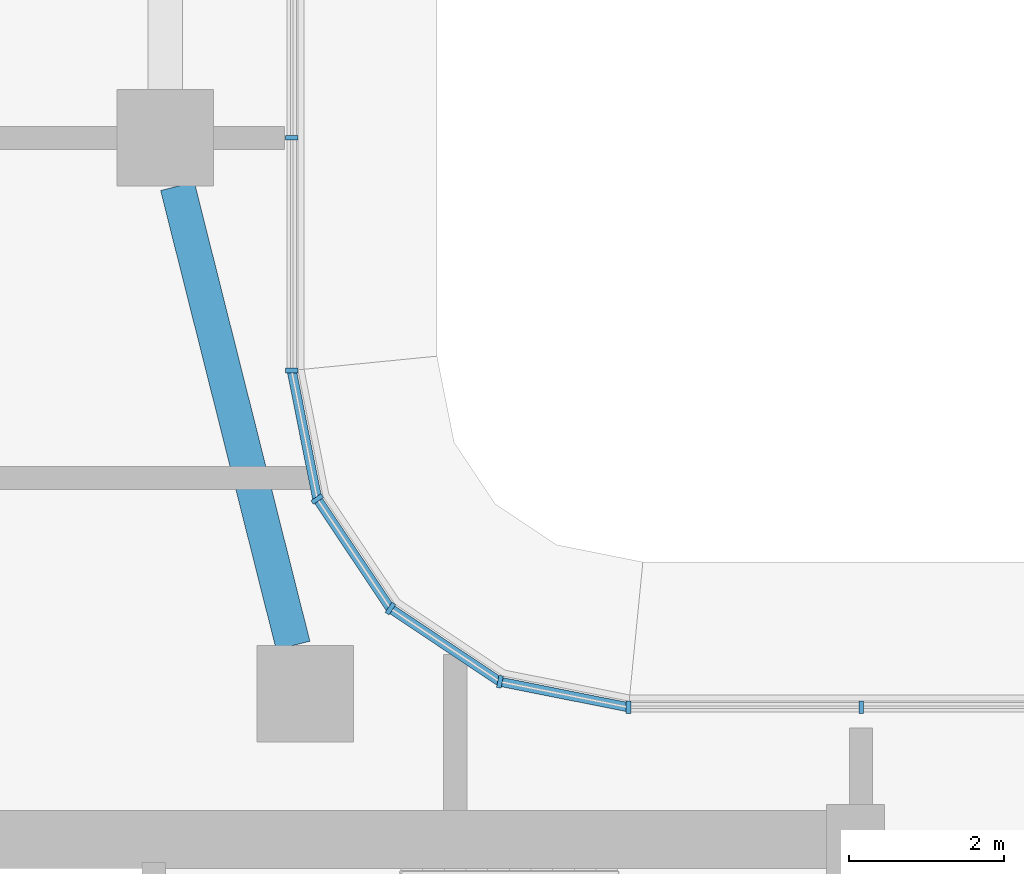
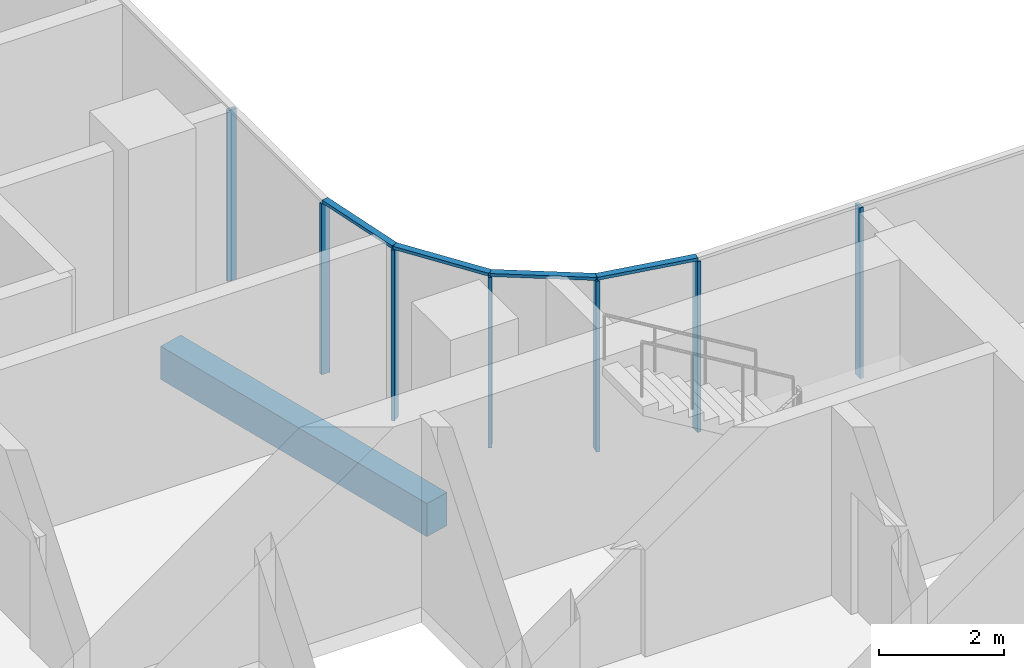
# One storey, part 2 of 25: 11 members, 1 beam, 3 elements without a shape of their own.
"""IFC4 building model written with IfcOpenShell, lengths in metres."""

from ifc_helpers import new_model, si_unit, direction, frame, origin, origin_2d, place, context, subcontext, project, spatial, rectangle, extrude, material, material_profile, profile_set, type_object, element, aggregate, save


model = new_model("IFC4")

# Units and contexts
model_context = context("Model", 3, precision=1e-05, world=origin(), true_north=direction((0.0, 1.0)))
body_context = subcontext(model_context, "Body", "Model", "MODEL_VIEW")
ifc_project = project(units=[si_unit("LENGTHUNIT", "METRE"), si_unit("AREAUNIT", "SQUARE_METRE"), si_unit("VOLUMEUNIT", "CUBIC_METRE"), si_unit("PLANEANGLEUNIT", "RADIAN"), si_unit("MASSUNIT", "GRAM", prefix="KILO")], contexts=[model_context])

# Site, building, storey
site_placement = place(None, origin())
site = spatial("IfcSite", under=ifc_project, at=site_placement, CompositionType="ELEMENT")
building_placement = place(site_placement, origin())
building = spatial("IfcBuilding", under=site, at=building_placement, Name="Ogive Portal Towers", CompositionType="ELEMENT")
storey_placement = place(building_placement, frame((0.0, 0.0, 124.10009765625)))
storey = spatial("IfcBuildingStorey", under=building, at=storey_placement, Name="L30", CompositionType="ELEMENT", Elevation=124.10009765625)

# Curtain wall, members
ifc_material_1 = material(Name="Glass, clear low-iron insulated glazing", Category="glass")
curtain_wall_type = type_object("IfcCurtainWallType", Name="CW FRONT RIBBON 4500", PredefinedType="NOTDEFINED", material=ifc_material_1)
curtain_wall_1_placement = place(storey_placement, origin())
curtain_wall_1 = element("IfcCurtainWall", 1, at=curtain_wall_1_placement, inside=storey, type_object=curtain_wall_type, Name="A:L30:f13:cw0", PredefinedType="NOTDEFINED")
ifc_material_2 = material(Name="Aluminium 6063 anodised", Category="aluminium")
ifc_material_profile_1 = material_profile(ifc_material_2, rectangle(XDim=0.159912109375, YDim=0.06005859375, at=origin_2d()), Name="AL 60x160")
ifc_profile_set_1 = profile_set([ifc_material_profile_1], Name="Aluminium 6063 anodised")
member_type_1 = type_object("IfcMemberType", Name="CW MULLION 60x160", PredefinedType="MULLION", material=ifc_profile_set_1)
member_1_placement = place(storey_placement, frame((58.5, 41.135009765625, 0.0), z_axis=(0.0, 0.0, 1.0), x_axis=(0.0, -1.0, 0.0)))
member_1 = element("IfcMember", 2, at=member_1_placement, type_object=member_type_1, Name="mullion", PredefinedType="MULLION", context=body_context, shape_type="SweptSolid", body=[
    extrude(rectangle(XDim=0.159912109375, YDim=0.06005859375, at=origin_2d()), origin(), (0.0, 0.0, 1.0), 3.33984375),
])
member_2_placement = place(storey_placement, frame((55.4921875, 41.135009765625, 0.0), z_axis=(0.0, 0.0, 1.0), x_axis=(0.0, -1.0, 0.0)))
member_2 = element("IfcMember", 3, at=member_2_placement, type_object=member_type_1, Name="mullion", PredefinedType="MULLION", context=body_context, shape_type="SweptSolid", body=[
    extrude(rectangle(XDim=0.159912109375, YDim=0.06005859375, at=origin_2d()), origin(), (0.0, 0.0, 1.0), 3.33984375),
])
aggregate(curtain_wall_1, [member_1, member_2])

curtain_wall_2_placement = place(storey_placement, origin())
curtain_wall_2 = element("IfcCurtainWall", 4, at=curtain_wall_2_placement, inside=storey, type_object=curtain_wall_type, Name="A:L30:f18:cw0", PredefinedType="NOTDEFINED")
member_3_placement = place(storey_placement, frame((51.135009765625, 45.4921875, 0.0), z_axis=(0.0, 0.0, 1.0), x_axis=(-1.0, 0.0, 0.0)))
member_3 = element("IfcMember", 5, at=member_3_placement, type_object=member_type_1, Name="mullion", PredefinedType="MULLION", context=body_context, shape_type="SweptSolid", body=[
    extrude(rectangle(XDim=0.159912109375, YDim=0.06005859375, at=origin_2d()), origin(), (0.0, 0.0, 1.0), 3.33984375),
])
member_4_placement = place(storey_placement, frame((51.135009765625, 48.5, 0.0), z_axis=(0.0, 0.0, 1.0), x_axis=(-1.0, 0.0, 0.0)))
member_4 = element("IfcMember", 6, at=member_4_placement, type_object=member_type_1, Name="mullion", PredefinedType="MULLION", context=body_context, shape_type="SweptSolid", body=[
    extrude(rectangle(XDim=0.159912109375, YDim=0.06005859375, at=origin_2d()), origin(), (0.0, 0.0, 1.0), 3.33984375),
])
aggregate(curtain_wall_2, [member_3, member_4])

curtain_wall_3_placement = place(storey_placement, origin())
curtain_wall_3 = element("IfcCurtainWall", 7, at=curtain_wall_3_placement, inside=storey, type_object=curtain_wall_type, Name="A:L30:f14:cwa", PredefinedType="NOTDEFINED")
member_5_placement = place(storey_placement, frame((53.8291015625, 41.4658203125, 0.0), z_axis=(0.0, 0.0, 1.0), x_axis=(-0.195090322016, -0.980785280403, 0.0)))
member_5 = element("IfcMember", 8, at=member_5_placement, type_object=member_type_1, Name="mullion", PredefinedType="MULLION", context=body_context, shape_type="SweptSolid", body=[
    extrude(rectangle(XDim=0.159912109375, YDim=0.06005859375, at=origin_2d()), origin(), (0.0, 0.0, 1.0), 3.33984375),
])
member_6_placement = place(storey_placement, frame((52.412353515625, 42.412353515625, 0.0), z_axis=(0.0, 0.0, 1.0), x_axis=(-0.55557023302, -0.831469612303, 0.0)))
member_6 = element("IfcMember", 9, at=member_6_placement, type_object=member_type_1, Name="mullion", PredefinedType="MULLION", context=body_context, shape_type="SweptSolid", body=[
    extrude(rectangle(XDim=0.159912109375, YDim=0.06005859375, at=origin_2d()), origin(), (0.0, 0.0, 1.0), 3.33984375),
])
member_7_placement = place(storey_placement, frame((51.4658203125, 43.8291015625, 0.0), z_axis=(0.0, 0.0, 1.0), x_axis=(-0.831469612303, -0.55557023302, 0.0)))
member_7 = element("IfcMember", 10, at=member_7_placement, type_object=member_type_1, Name="mullion", PredefinedType="MULLION", context=body_context, shape_type="SweptSolid", body=[
    extrude(rectangle(XDim=0.159912109375, YDim=0.06005859375, at=origin_2d()), origin(), (0.0, 0.0, 1.0), 3.33984375),
])
ifc_material_profile_2 = material_profile(ifc_material_2, rectangle(XDim=0.1201171875, YDim=0.06005859375, at=origin_2d()), Name="AL 120x60")
ifc_profile_set_2 = profile_set([ifc_material_profile_2], Name="Aluminium 6063 anodised")
member_type_2 = type_object("IfcMemberType", Name="CW TRANSOM 60x120", PredefinedType="USERDEFINED", material=ifc_profile_set_2)
member_8_placement = place(storey_placement, frame((55.4921875, 41.135009765625, 3.369873046875), z_axis=(-0.980785033743, 0.195091562056, 0.0), x_axis=(-0.195091562056, -0.980785033743, 0.0)))
member_8 = element("IfcMember", 11, at=member_8_placement, type_object=member_type_2, Name="transom", ObjectType="TRANSOM", PredefinedType="USERDEFINED", context=body_context, shape_type="SweptSolid", body=[
    extrude(rectangle(XDim=0.1201171875, YDim=0.06005859375, at=origin_2d()), origin(), (0.0, 0.0, 1.0), 1.695556640625),
])
member_9_placement = place(storey_placement, frame((53.8291015625, 41.4658203125, 3.369873046875), z_axis=(-0.831498776979, 0.555526582517, 0.0), x_axis=(-0.555526582517, -0.831498776979, 0.0)))
member_9 = element("IfcMember", 12, at=member_9_placement, type_object=member_type_2, Name="transom", ObjectType="TRANSOM", PredefinedType="USERDEFINED", context=body_context, shape_type="SweptSolid", body=[
    extrude(rectangle(XDim=0.1201171875, YDim=0.06005859375, at=origin_2d()), origin(), (0.0, 0.0, 1.0), 1.703857421875),
])
member_10_placement = place(storey_placement, frame((52.412353515625, 42.412353515625, 3.369873046875), z_axis=(-0.555526582517, 0.831498776979, 0.0), x_axis=(-0.831498776979, -0.555526582517, 0.0)))
member_10 = element("IfcMember", 13, at=member_10_placement, type_object=member_type_2, Name="transom", ObjectType="TRANSOM", PredefinedType="USERDEFINED", context=body_context, shape_type="SweptSolid", body=[
    extrude(rectangle(XDim=0.1201171875, YDim=0.06005859375, at=origin_2d()), origin(), (0.0, 0.0, 1.0), 1.703857421875),
])
member_11_placement = place(storey_placement, frame((51.4658203125, 43.8291015625, 3.369873046875), z_axis=(-0.195091562056, 0.980785033743, 0.0), x_axis=(-0.980785033743, -0.195091562056, 0.0)))
member_11 = element("IfcMember", 14, at=member_11_placement, type_object=member_type_2, Name="transom", ObjectType="TRANSOM", PredefinedType="USERDEFINED", context=body_context, shape_type="SweptSolid", body=[
    extrude(rectangle(XDim=0.1201171875, YDim=0.06005859375, at=origin_2d()), origin(), (0.0, 0.0, 1.0), 1.695556640625),
])
aggregate(curtain_wall_3, [member_8, member_9, member_10, member_11, member_5, member_6, member_7])

# Beam
ifc_material_3 = material(Name="Concrete C50/60", Category="concrete")
ifc_material_profile_3 = material_profile(ifc_material_3, rectangle(XDim=0.449951171875, YDim=0.64990234375, at=origin_2d()), Name="RC 450x650")
ifc_profile_set_3 = profile_set([ifc_material_profile_3], Name="Concrete C50/60")
beam_type = type_object("IfcBeamType", Name="SPANDREL BEAM RC 450x650", PredefinedType="BEAM", material=ifc_profile_set_3)
beam_placement = place(storey_placement, frame((49.6572265625, 47.875, -0.625), z_axis=(0.24412961337, -0.969742611148, 0.0), x_axis=(0.969742611148, 0.24412961337, 0.0)))
element("IfcBeam", 15, at=beam_placement, inside=storey, type_object=beam_type, Name="Spandrel beam L30", PredefinedType="BEAM", context=body_context, shape_type="SweptSolid", body=[
    extrude(rectangle(XDim=0.449951171875, YDim=0.64990234375, at=origin_2d()), origin(), (0.0, 0.0, 1.0), 6.125244140625),
])

save(model, "model.ifc")
